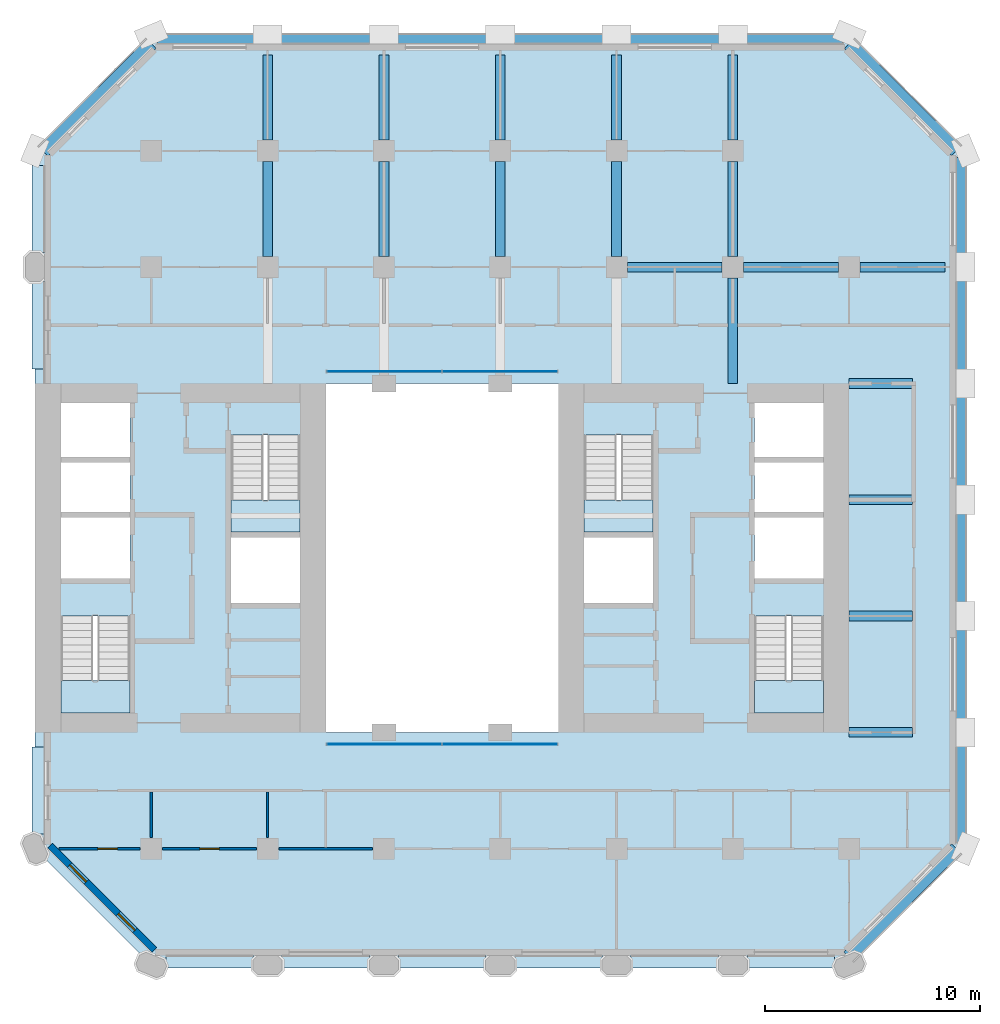
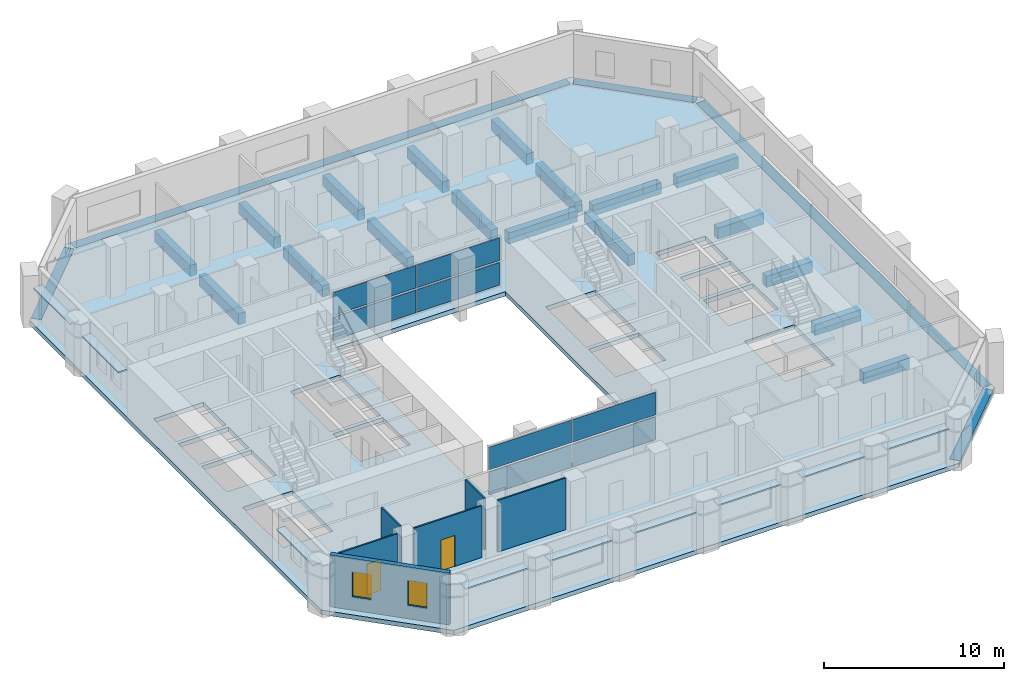
# One storey, part 3 of 11: 23 beams, 17 plates, 6 walls, 5 slabs, 2 doors, 2 windows, 4 openings, 6 elements without a shape of their own.
"""IFC4 building model written with IfcOpenShell, lengths in metres."""

from ifc_helpers import new_model, si_unit, direction, frame, frame_2d, origin, origin_2d, place, context, subcontext, project, spatial, polyline, rectangle, outline, extrude, material, layer, layer_set, material_profile, profile_set, type_object, element, fill, aggregate, save


model = new_model("IFC4")

# Units and contexts
model_context = context("Model", 3, precision=1e-05, world=origin(), true_north=direction((0.0, 1.0)))
body_context = subcontext(model_context, "Body", "Model", "MODEL_VIEW")
ifc_project = project(units=[si_unit("LENGTHUNIT", "METRE"), si_unit("AREAUNIT", "SQUARE_METRE"), si_unit("VOLUMEUNIT", "CUBIC_METRE"), si_unit("PLANEANGLEUNIT", "RADIAN"), si_unit("MASSUNIT", "GRAM", prefix="KILO")], contexts=[model_context])

# Site, building, storey
site_placement = place(None, origin())
site = spatial("IfcSite", under=ifc_project, at=site_placement, CompositionType="ELEMENT")
building_placement = place(site_placement, origin())
building = spatial("IfcBuilding", under=site, at=building_placement, Name="Tabaq Tower and Sports Hall", CompositionType="ELEMENT")
storey_placement = place(building_placement, frame((0.0, 0.0, 84.0)))
storey = spatial("IfcBuildingStorey", under=building, at=storey_placement, Name="L19", CompositionType="ELEMENT", Elevation=84.0)

# Beams
ifc_material_1 = material(Name="Concrete C40/50", Category="concrete")
ifc_material_profile_1 = material_profile(ifc_material_1, rectangle(XDim=0.449951171875, YDim=0.75, at=origin_2d()), Name="CB 450x750")
ifc_profile_set_1 = profile_set([ifc_material_profile_1], Name="Concrete C40/50")
beam_type_1 = type_object("IfcBeamType", Name="PT CANTILEVER BEAM CB 450x750 C40/50", PredefinedType="BEAM", material=ifc_profile_set_1)
for number, where, z_axis, x_axis, name in (
    (1, (46.14990234375, 16.199951171875, -0.675048828125), (-1.0, 0.0, 0.0), (0.0, -1.0, 0.0), "Cantilever Beam L19 E3 span 1"),
    (2, (46.14990234375, 21.60009765625, -0.675048828125), (-1.0, 0.0, 0.0), (0.0, -1.0, 0.0), "Cantilever Beam L19 E4 span 1"),
    (3, (46.14990234375, 27.0, -0.675048828125), (-1.0, 0.0, 0.0), (0.0, -1.0, 0.0), "Cantilever Beam L19 E5 span 1"),
    (4, (46.14990234375, 32.39990234375, -0.675048828125), (-1.0, 0.0, 0.0), (0.0, -1.0, 0.0), "Cantilever Beam L19 E6 span 1"),
):
    element("IfcBeam", number, at=place(storey_placement, frame(where, z_axis=z_axis, x_axis=x_axis)), inside=storey, type_object=beam_type_1, Name=name, PredefinedType="BEAM", context=body_context, shape_type="SweptSolid", body=[
        extrude(rectangle(XDim=0.449951171875, YDim=0.75, at=origin_2d()), origin(), (0.0, 0.0, 1.0), 2.949951171875),
    ])
beam_1_placement = place(storey_placement, frame((47.64990234375, 37.800048828125, -0.675048828125), z_axis=(-1.0, 0.0, 0.0), x_axis=(0.0, -1.0, 0.0)))
element("IfcBeam", 5, at=beam_1_placement, inside=storey, type_object=beam_type_1, Name="Cantilever Beam L19 E7 span 1", PredefinedType="BEAM", context=body_context, shape_type="SweptSolid", body=[
    extrude(rectangle(XDim=0.449951171875, YDim=0.75, at=origin_2d()), origin(), (0.0, 0.0, 1.0), 3.949951171875),
])
beam_2_placement = place(storey_placement, frame((42.699951171875, 37.800048828125, -0.675048828125), z_axis=(-1.0, 0.0, 0.0), x_axis=(0.0, -1.0, 0.0)))
element("IfcBeam", 6, at=beam_2_placement, inside=storey, type_object=beam_type_1, Name="Cantilever Beam L19 E7 span 2", PredefinedType="BEAM", context=body_context, shape_type="SweptSolid", body=[
    extrude(rectangle(XDim=0.449951171875, YDim=0.75, at=origin_2d()), origin(), (0.0, 0.0, 1.0), 4.39990234375),
])
beam_3_placement = place(storey_placement, frame((37.300048828125, 37.800048828125, -0.675048828125), z_axis=(-1.0, 0.0, 0.0), x_axis=(0.0, -1.0, 0.0)))
element("IfcBeam", 7, at=beam_3_placement, inside=storey, type_object=beam_type_1, Name="Cantilever Beam L19 E7 span 3", PredefinedType="BEAM", context=body_context, shape_type="SweptSolid", body=[
    extrude(rectangle(XDim=0.449951171875, YDim=0.75, at=origin_2d()), origin(), (0.0, 0.0, 1.0), 4.400146484375),
])
beam_4_placement = place(storey_placement, frame((16.199951171875, 47.64990234375, -0.675048828125), z_axis=(0.0, -1.0, 0.0), x_axis=(1.0, 0.0, 0.0)))
element("IfcBeam", 8, at=beam_4_placement, inside=storey, type_object=beam_type_1, Name="Cantilever Beam L19 N3 span 1", PredefinedType="BEAM", context=body_context, shape_type="SweptSolid", body=[
    extrude(rectangle(XDim=0.449951171875, YDim=0.75, at=origin_2d()), origin(), (0.0, 0.0, 1.0), 3.949951171875),
])
beam_5_placement = place(storey_placement, frame((16.199951171875, 42.699951171875, -0.675048828125), z_axis=(0.0, -1.0, 0.0), x_axis=(1.0, 0.0, 0.0)))
element("IfcBeam", 9, at=beam_5_placement, inside=storey, type_object=beam_type_1, Name="Cantilever Beam L19 N3 span 2", PredefinedType="BEAM", context=body_context, shape_type="SweptSolid", body=[
    extrude(rectangle(XDim=0.449951171875, YDim=0.75, at=origin_2d()), origin(), (0.0, 0.0, 1.0), 4.39990234375),
])
beam_6_placement = place(storey_placement, frame((21.60009765625, 47.64990234375, -0.675048828125), z_axis=(0.0, -1.0, 0.0), x_axis=(1.0, 0.0, 0.0)))
element("IfcBeam", 10, at=beam_6_placement, inside=storey, type_object=beam_type_1, Name="Cantilever Beam L19 N4 span 1", PredefinedType="BEAM", context=body_context, shape_type="SweptSolid", body=[
    extrude(rectangle(XDim=0.449951171875, YDim=0.75, at=origin_2d()), origin(), (0.0, 0.0, 1.0), 3.949951171875),
])
beam_7_placement = place(storey_placement, frame((21.60009765625, 42.699951171875, -0.675048828125), z_axis=(0.0, -1.0, 0.0), x_axis=(1.0, 0.0, 0.0)))
element("IfcBeam", 11, at=beam_7_placement, inside=storey, type_object=beam_type_1, Name="Cantilever Beam L19 N4 span 2", PredefinedType="BEAM", context=body_context, shape_type="SweptSolid", body=[
    extrude(rectangle(XDim=0.449951171875, YDim=0.75, at=origin_2d()), origin(), (0.0, 0.0, 1.0), 4.39990234375),
])
beam_8_placement = place(storey_placement, frame((27.0, 47.64990234375, -0.675048828125), z_axis=(0.0, -1.0, 0.0), x_axis=(1.0, 0.0, 0.0)))
element("IfcBeam", 12, at=beam_8_placement, inside=storey, type_object=beam_type_1, Name="Cantilever Beam L19 N5 span 1", PredefinedType="BEAM", context=body_context, shape_type="SweptSolid", body=[
    extrude(rectangle(XDim=0.449951171875, YDim=0.75, at=origin_2d()), origin(), (0.0, 0.0, 1.0), 3.949951171875),
])
beam_9_placement = place(storey_placement, frame((27.0, 42.699951171875, -0.675048828125), z_axis=(0.0, -1.0, 0.0), x_axis=(1.0, 0.0, 0.0)))
element("IfcBeam", 13, at=beam_9_placement, inside=storey, type_object=beam_type_1, Name="Cantilever Beam L19 N5 span 2", PredefinedType="BEAM", context=body_context, shape_type="SweptSolid", body=[
    extrude(rectangle(XDim=0.449951171875, YDim=0.75, at=origin_2d()), origin(), (0.0, 0.0, 1.0), 4.39990234375),
])
beam_10_placement = place(storey_placement, frame((32.39990234375, 47.64990234375, -0.675048828125), z_axis=(0.0, -1.0, 0.0), x_axis=(1.0, 0.0, 0.0)))
element("IfcBeam", 14, at=beam_10_placement, inside=storey, type_object=beam_type_1, Name="Cantilever Beam L19 N6 span 1", PredefinedType="BEAM", context=body_context, shape_type="SweptSolid", body=[
    extrude(rectangle(XDim=0.449951171875, YDim=0.75, at=origin_2d()), origin(), (0.0, 0.0, 1.0), 3.949951171875),
])
beam_11_placement = place(storey_placement, frame((32.39990234375, 42.699951171875, -0.675048828125), z_axis=(0.0, -1.0, 0.0), x_axis=(1.0, 0.0, 0.0)))
element("IfcBeam", 15, at=beam_11_placement, inside=storey, type_object=beam_type_1, Name="Cantilever Beam L19 N6 span 2", PredefinedType="BEAM", context=body_context, shape_type="SweptSolid", body=[
    extrude(rectangle(XDim=0.449951171875, YDim=0.75, at=origin_2d()), origin(), (0.0, 0.0, 1.0), 4.39990234375),
])
beam_12_placement = place(storey_placement, frame((37.800048828125, 47.64990234375, -0.675048828125), z_axis=(0.0, -1.0, 0.0), x_axis=(1.0, 0.0, 0.0)))
element("IfcBeam", 16, at=beam_12_placement, inside=storey, type_object=beam_type_1, Name="Cantilever Beam L19 N7 span 1", PredefinedType="BEAM", context=body_context, shape_type="SweptSolid", body=[
    extrude(rectangle(XDim=0.449951171875, YDim=0.75, at=origin_2d()), origin(), (0.0, 0.0, 1.0), 3.949951171875),
])
beam_13_placement = place(storey_placement, frame((37.800048828125, 42.699951171875, -0.675048828125), z_axis=(0.0, -1.0, 0.0), x_axis=(1.0, 0.0, 0.0)))
element("IfcBeam", 17, at=beam_13_placement, inside=storey, type_object=beam_type_1, Name="Cantilever Beam L19 N7 span 2", PredefinedType="BEAM", context=body_context, shape_type="SweptSolid", body=[
    extrude(rectangle(XDim=0.449951171875, YDim=0.75, at=origin_2d()), origin(), (0.0, 0.0, 1.0), 4.39990234375),
])
beam_14_placement = place(storey_placement, frame((37.800048828125, 37.300048828125, -0.675048828125), z_axis=(0.0, -1.0, 0.0), x_axis=(1.0, 0.0, 0.0)))
element("IfcBeam", 18, at=beam_14_placement, inside=storey, type_object=beam_type_1, Name="Cantilever Beam L19 N7 span 3", PredefinedType="BEAM", context=body_context, shape_type="SweptSolid", body=[
    extrude(rectangle(XDim=0.449951171875, YDim=0.75, at=origin_2d()), origin(), (0.0, 0.0, 1.0), 4.900146484375),
])
ifc_material_2 = material(Name="Concrete C40/50", Category="concrete")
ifc_material_profile_2 = material_profile(ifc_material_2, rectangle(XDim=0.60009765625, YDim=0.300048828125, at=origin_2d()), Name="EB 600x300")
ifc_profile_set_2 = profile_set([ifc_material_profile_2], Name="Concrete C40/50")
beam_type_2 = type_object("IfcBeamType", Name="PT EDGE BEAM EB 600x300 C40/50", PredefinedType="SPANDREL", material=ifc_profile_set_2)
beam_15_placement = place(storey_placement, frame((43.16455078125, 5.788818359375, -0.14990234375), z_axis=(0.707106781187, 0.707106781187, 0.0), x_axis=(-0.707106781187, 0.707106781187, 0.0)))
element("IfcBeam", 19, at=beam_15_placement, inside=storey, type_object=beam_type_2, Name="Edge Beam L19 1", PredefinedType="SPANDREL", context=body_context, shape_type="SweptSolid", body=[
    extrude(rectangle(XDim=0.60009765625, YDim=0.300048828125, at=origin_2d()), origin(), (0.0, 0.0, 1.0), 7.08837890625),
])
beam_16_placement = place(storey_placement, frame((48.300048828125, 11.0986328125, -0.14990234375), z_axis=(0.0, 1.0, 0.0), x_axis=(-1.0, 0.0, 0.0)))
element("IfcBeam", 20, at=beam_16_placement, inside=storey, type_object=beam_type_2, Name="Edge Beam L19 2", PredefinedType="SPANDREL", context=body_context, shape_type="SweptSolid", body=[
    extrude(rectangle(XDim=0.60009765625, YDim=0.300048828125, at=origin_2d()), origin(), (0.0, 0.0, 1.0), 31.802734375),
])
beam_17_placement = place(storey_placement, frame((48.1767578125, 43.198974609375, -0.14990234375), z_axis=(-0.707106781187, 0.707106781187, 0.0), x_axis=(-0.707106781187, -0.707106781187, 0.0)))
element("IfcBeam", 21, at=beam_17_placement, inside=storey, type_object=beam_type_2, Name="Edge Beam L19 3", PredefinedType="SPANDREL", context=body_context, shape_type="SweptSolid", body=[
    extrude(rectangle(XDim=0.60009765625, YDim=0.300048828125, at=origin_2d()), origin(), (0.0, 0.0, 1.0), 7.03955078125),
])
beam_18_placement = place(storey_placement, frame((42.9013671875, 48.300048828125, -0.14990234375), z_axis=(-1.0, 0.0, 0.0), x_axis=(0.0, -1.0, 0.0)))
element("IfcBeam", 22, at=beam_18_placement, inside=storey, type_object=beam_type_2, Name="Edge Beam L19 4", PredefinedType="SPANDREL", context=body_context, shape_type="SweptSolid", body=[
    extrude(rectangle(XDim=0.60009765625, YDim=0.300048828125, at=origin_2d()), origin(), (0.0, 0.0, 1.0), 31.802734375),
])
beam_19_placement = place(storey_placement, frame((10.801025390625, 48.1767578125, -0.14990234375), z_axis=(-0.707106781187, -0.707106781187, 0.0), x_axis=(0.707106781187, -0.707106781187, 0.0)))
element("IfcBeam", 23, at=beam_19_placement, inside=storey, type_object=beam_type_2, Name="Edge Beam L19 5", PredefinedType="SPANDREL", context=body_context, shape_type="SweptSolid", body=[
    extrude(rectangle(XDim=0.60009765625, YDim=0.300048828125, at=origin_2d()), origin(), (0.0, 0.0, 1.0), 7.08837890625),
])

# Curtain wall, plates
ifc_material_3 = material(Name="Aluminium alloy 6063-T6 framed glazing", Category="aluminium")
curtain_wall_type = type_object("IfcCurtainWallType", Name="CW1 curtain wall", PredefinedType="USERDEFINED", material=ifc_material_3)
curtain_wall_1_placement = place(storey_placement, origin())
curtain_wall_1 = element("IfcCurtainWall", 24, at=curtain_wall_1_placement, inside=storey, type_object=curtain_wall_type, Name="Atrium glazing L19 S", ObjectType="ATRIUM ENCLOSURE", PredefinedType="USERDEFINED")
ifc_material_4 = material(Name="Clear low-emissivity glass 28 mm", Category="glass")
ifc_layer_1 = layer(ifc_material_4, 0.028076171875)
ifc_layer_set_1 = layer_set([ifc_layer_1], Name="CW1 glass panel 28")
plate_type_1 = type_object("IfcPlateType", Name="CW1 glass panel 28", PredefinedType="CURTAIN_PANEL", material=ifc_layer_set_1)
plate_1_placement = place(storey_placement, frame((21.614990234375, 15.64990234375, 0.139892578125), z_axis=(0.0, 0.0, 1.0), x_axis=(1.0, 0.0, 0.0)))
plate_1 = element("IfcPlate", 25, at=plate_1_placement, type_object=plate_type_1, Name="CW1 panel 1.1", PredefinedType="CURTAIN_PANEL", context=body_context, shape_type="SweptSolid", body=[
    extrude(rectangle(XDim=5.31005859375, YDim=0.028076171875, at=origin_2d()), origin(), (0.0, 0.0, 1.0), 1.5400390625),
])
plate_2_placement = place(storey_placement, frame((21.614990234375, 15.64990234375, 1.820068359375), z_axis=(0.0, 0.0, 1.0), x_axis=(1.0, 0.0, 0.0)))
plate_2 = element("IfcPlate", 26, at=plate_2_placement, type_object=plate_type_1, Name="CW1 panel 1.2", PredefinedType="CURTAIN_PANEL", context=body_context, shape_type="SweptSolid", body=[
    extrude(rectangle(XDim=5.31005859375, YDim=0.028076171875, at=origin_2d()), origin(), (0.0, 0.0, 1.0), 1.5400390625),
])
plate_3_placement = place(storey_placement, frame((26.985107421875, 15.64990234375, 0.139892578125), z_axis=(0.0, 0.0, 1.0), x_axis=(1.0, 0.0, 0.0)))
plate_3 = element("IfcPlate", 27, at=plate_3_placement, type_object=plate_type_1, Name="CW1 panel 2.1", PredefinedType="CURTAIN_PANEL", context=body_context, shape_type="SweptSolid", body=[
    extrude(rectangle(XDim=5.31005859375, YDim=0.028076171875, at=origin_2d()), origin(), (0.0, 0.0, 1.0), 1.5400390625),
])
plate_4_placement = place(storey_placement, frame((26.985107421875, 15.64990234375, 1.820068359375), z_axis=(0.0, 0.0, 1.0), x_axis=(1.0, 0.0, 0.0)))
plate_4 = element("IfcPlate", 28, at=plate_4_placement, type_object=plate_type_1, Name="CW1 panel 2.2", PredefinedType="CURTAIN_PANEL", context=body_context, shape_type="SweptSolid", body=[
    extrude(rectangle(XDim=5.31005859375, YDim=0.028076171875, at=origin_2d()), origin(), (0.0, 0.0, 1.0), 1.5400390625),
])
aggregate(curtain_wall_1, [plate_1, plate_2, plate_3, plate_4])

curtain_wall_2_placement = place(storey_placement, origin())
curtain_wall_2 = element("IfcCurtainWall", 29, at=curtain_wall_2_placement, inside=storey, type_object=curtain_wall_type, Name="Atrium glazing L19 N", ObjectType="ATRIUM ENCLOSURE", PredefinedType="USERDEFINED")
plate_5_placement = place(storey_placement, frame((21.614990234375, 32.949951171875, 0.139892578125), z_axis=(0.0, 0.0, 1.0), x_axis=(1.0, 0.0, 0.0)))
plate_5 = element("IfcPlate", 30, at=plate_5_placement, type_object=plate_type_1, Name="CW1 panel 1.1", PredefinedType="CURTAIN_PANEL", context=body_context, shape_type="SweptSolid", body=[
    extrude(rectangle(XDim=5.31005859375, YDim=0.028076171875, at=origin_2d()), origin(), (0.0, 0.0, 1.0), 1.5400390625),
])
plate_6_placement = place(storey_placement, frame((21.614990234375, 32.949951171875, 1.820068359375), z_axis=(0.0, 0.0, 1.0), x_axis=(1.0, 0.0, 0.0)))
plate_6 = element("IfcPlate", 31, at=plate_6_placement, type_object=plate_type_1, Name="CW1 panel 1.2", PredefinedType="CURTAIN_PANEL", context=body_context, shape_type="SweptSolid", body=[
    extrude(rectangle(XDim=5.31005859375, YDim=0.028076171875, at=origin_2d()), origin(), (0.0, 0.0, 1.0), 1.5400390625),
])
plate_7_placement = place(storey_placement, frame((26.985107421875, 32.949951171875, 0.139892578125), z_axis=(0.0, 0.0, 1.0), x_axis=(1.0, 0.0, 0.0)))
plate_7 = element("IfcPlate", 32, at=plate_7_placement, type_object=plate_type_1, Name="CW1 panel 2.1", PredefinedType="CURTAIN_PANEL", context=body_context, shape_type="SweptSolid", body=[
    extrude(rectangle(XDim=5.31005859375, YDim=0.028076171875, at=origin_2d()), origin(), (0.0, 0.0, 1.0), 1.5400390625),
])
plate_8_placement = place(storey_placement, frame((26.985107421875, 32.949951171875, 1.820068359375), z_axis=(0.0, 0.0, 1.0), x_axis=(1.0, 0.0, 0.0)))
plate_8 = element("IfcPlate", 33, at=plate_8_placement, type_object=plate_type_1, Name="CW1 panel 2.2", PredefinedType="CURTAIN_PANEL", context=body_context, shape_type="SweptSolid", body=[
    extrude(rectangle(XDim=5.31005859375, YDim=0.028076171875, at=origin_2d()), origin(), (0.0, 0.0, 1.0), 1.5400390625),
])
aggregate(curtain_wall_2, [plate_5, plate_6, plate_7, plate_8])

# Stair, slab
ifc_material_5 = material(Name="Concrete C40/50", Category="concrete")
stair_type = type_object("IfcStairType", Name="Exit stair", PredefinedType="HALF_TURN_STAIR", material=ifc_material_5)
stair_1_placement = place(storey_placement, origin())
stair_1 = element("IfcStair", 34, at=stair_1_placement, inside=storey, type_object=stair_type, Name="L19 Exit stair ST1", PredefinedType="HALF_TURN_STAIR")
ifc_material_6 = material(Name="Concrete C40/50", Category="concrete")
ifc_layer_2 = layer(ifc_material_6, 0.199951171875)
ifc_layer_set_2 = layer_set([ifc_layer_2], Name="Exit stair landing")
slab_type_1 = type_object("IfcSlabType", Name="Exit stair landing", PredefinedType="LANDING", material=ifc_layer_set_2)
slab_1_placement = place(storey_placement, frame((0.0, 0.0, 1.699951171875)))
slab_1 = element("IfcSlab", 35, at=slab_1_placement, type_object=slab_type_1, Name="ST1 landing 1", PredefinedType="LANDING", context=body_context, shape_type="SweptSolid", body=[
    extrude(outline(polyline([(6.60009765625, 18.60009765625), (6.60009765625, 17.10009765625), (9.800048828125, 17.10009765625), (9.800048828125, 18.60009765625), (6.60009765625, 18.60009765625)])), origin(), (0.0, 0.0, 1.0), 0.199951171875),
])
aggregate(stair_1, [slab_1])

stair_2_placement = place(storey_placement, origin())
stair_2 = element("IfcStair", 36, at=stair_2_placement, inside=storey, type_object=stair_type, Name="L19 Exit stair ST2", PredefinedType="HALF_TURN_STAIR")
slab_2_placement = place(storey_placement, frame((0.0, 0.0, 1.699951171875)))
slab_2 = element("IfcSlab", 37, at=slab_2_placement, type_object=slab_type_1, Name="ST2 landing 1", PredefinedType="LANDING", context=body_context, shape_type="SweptSolid", body=[
    extrude(outline(polyline([(14.5, 27.0), (14.5, 25.5), (17.699951171875, 25.5), (17.699951171875, 27.0), (14.5, 27.0)])), origin(), (0.0, 0.0, 1.0), 0.199951171875),
])
aggregate(stair_2, [slab_2])

stair_3_placement = place(storey_placement, origin())
stair_3 = element("IfcStair", 38, at=stair_3_placement, inside=storey, type_object=stair_type, Name="L19 Exit stair ST3", PredefinedType="HALF_TURN_STAIR")
slab_3_placement = place(storey_placement, frame((0.0, 0.0, 1.699951171875)))
slab_3 = element("IfcSlab", 39, at=slab_3_placement, type_object=slab_type_1, Name="ST3 landing 1", PredefinedType="LANDING", context=body_context, shape_type="SweptSolid", body=[
    extrude(outline(polyline([(38.800048828125, 18.60009765625), (38.800048828125, 17.10009765625), (42.0, 17.10009765625), (42.0, 18.60009765625), (38.800048828125, 18.60009765625)])), origin(), (0.0, 0.0, 1.0), 0.199951171875),
])
aggregate(stair_3, [slab_3])

stair_4_placement = place(storey_placement, origin())
stair_4 = element("IfcStair", 40, at=stair_4_placement, inside=storey, type_object=stair_type, Name="L19 Exit stair ST4", PredefinedType="HALF_TURN_STAIR")
slab_4_placement = place(storey_placement, frame((0.0, 0.0, 1.699951171875)))
slab_4 = element("IfcSlab", 41, at=slab_4_placement, type_object=slab_type_1, Name="ST4 landing 1", PredefinedType="LANDING", context=body_context, shape_type="SweptSolid", body=[
    extrude(outline(polyline([(30.89990234375, 27.0), (30.89990234375, 25.5), (34.10009765625, 25.5), (34.10009765625, 27.0), (30.89990234375, 27.0)])), origin(), (0.0, 0.0, 1.0), 0.199951171875),
])
aggregate(stair_4, [slab_4])

# Slab
ifc_material_7 = material(Name="Concrete C40/50", Category="concrete")
ifc_layer_3 = layer(ifc_material_7, 0.300048828125)
ifc_layer_set_3 = layer_set([ifc_layer_3], Name="PT FLOOR SLAB 300 C40/50")
slab_type_2 = type_object("IfcSlabType", Name="PT FLOOR SLAB 300 C40/50", PredefinedType="FLOOR", material=ifc_layer_set_3)
slab_5_placement = place(storey_placement, frame((0.0, 0.0, -0.300048828125)))
element("IfcSlab", 42, at=slab_5_placement, inside=storey, type_object=slab_type_2, Name="Floor Slab L19", PredefinedType="FLOOR", context=body_context, shape_type="SweptSolid", body=[
    extrude(outline(polyline([(5.39990234375, 43.199951171875), (5.39990234375, 10.800048828125), (10.800048828125, 5.39990234375), (43.199951171875, 5.39990234375), (43.376708984375, 5.57666015625), (42.952392578125, 6.0009765625), (47.964599609375, 11.01318359375), (48.035400390625, 10.9423828125), (48.388916015625, 10.5888671875), (48.60009765625, 10.800048828125), (48.60009765625, 11.0986328125), (48.10009765625, 11.0986328125), (48.0, 11.0986328125), (48.0, 42.9013671875), (48.10009765625, 42.9013671875), (48.60009765625, 42.9013671875), (48.60009765625, 43.199951171875), (48.388916015625, 43.4111328125), (48.035400390625, 43.0576171875), (47.964599609375, 42.98681640625), (42.98681640625, 47.964599609375), (43.0576171875, 48.035400390625), (43.4111328125, 48.388916015625), (43.199951171875, 48.60009765625), (42.9013671875, 48.60009765625), (42.9013671875, 48.10009765625), (42.9013671875, 48.0), (11.0986328125, 48.0), (11.0986328125, 48.10009765625), (11.0986328125, 48.60009765625), (10.800048828125, 48.60009765625), (10.5888671875, 48.388916015625), (10.9423828125, 48.035400390625), (11.01318359375, 47.964599609375), (6.0009765625, 42.952392578125), (5.57666015625, 43.376708984375), (5.39990234375, 43.199951171875)]), holes=[polyline([(6.60009765625, 21.599365234375), (9.800048828125, 21.599365234375), (9.800048828125, 17.10009765625), (6.60009765625, 17.10009765625), (6.60009765625, 21.599365234375)]), polyline([(17.699951171875, 25.25), (17.699951171875, 22.199951171875), (14.5, 22.199951171875), (14.5, 25.25), (17.699951171875, 25.25)]), polyline([(18.89990234375, 32.39990234375), (29.699951171875, 32.39990234375), (29.699951171875, 16.199951171875), (18.89990234375, 16.199951171875), (18.89990234375, 32.39990234375)]), polyline([(6.60009765625, 26.175048828125), (9.800048828125, 26.175048828125), (9.800048828125, 23.35009765625), (6.60009765625, 23.35009765625), (6.60009765625, 26.175048828125)]), polyline([(9.800048828125, 28.72509765625), (9.800048828125, 26.425048828125), (6.60009765625, 26.425048828125), (6.60009765625, 28.72509765625), (9.800048828125, 28.72509765625)]), polyline([(17.699951171875, 29.99951171875), (17.699951171875, 25.5), (14.5, 25.5), (14.5, 29.99951171875), (17.699951171875, 29.99951171875)]), polyline([(6.60009765625, 31.5), (9.800048828125, 31.5), (9.800048828125, 28.97509765625), (6.60009765625, 28.97509765625), (6.60009765625, 31.5)]), polyline([(42.0, 21.599365234375), (42.0, 17.10009765625), (38.800048828125, 17.10009765625), (38.800048828125, 21.599365234375), (42.0, 21.599365234375)]), polyline([(34.10009765625, 25.25), (34.10009765625, 22.199951171875), (30.89990234375, 22.199951171875), (30.89990234375, 25.25), (34.10009765625, 25.25)]), polyline([(42.0, 26.175048828125), (42.0, 23.35009765625), (38.800048828125, 23.35009765625), (38.800048828125, 26.175048828125), (42.0, 26.175048828125)]), polyline([(42.0, 28.72509765625), (42.0, 26.425048828125), (38.800048828125, 26.425048828125), (38.800048828125, 28.72509765625), (42.0, 28.72509765625)]), polyline([(34.10009765625, 29.99951171875), (34.10009765625, 25.5), (30.89990234375, 25.5), (30.89990234375, 29.99951171875), (34.10009765625, 29.99951171875)]), polyline([(42.0, 31.5), (42.0, 28.97509765625), (38.800048828125, 28.97509765625), (38.800048828125, 31.5), (42.0, 31.5)])]), origin(), (0.0, 0.0, 1.0), 0.300048828125),
])

# Plates
ifc_material_8 = material(Name="White precast concrete C60/75 blade", Category="concrete")
ifc_layer_4 = layer(ifc_material_8, 0.10009765625)
ifc_layer_set_4 = layer_set([ifc_layer_4], Name="White precast concrete C60/75 sunshade 100")
plate_type_2 = type_object("IfcPlateType", Name="White precast concrete C60/75 sunshade 100", PredefinedType="USERDEFINED", material=ifc_layer_set_4)
for number, where, z_axis, x_axis, name in (
    (43, (13.5, 5.550048828125, 2.599853515625), (0.0, 0.0, 1.0), (1.0, 0.0, 0.0), "Sunshade L19 S"),
    (44, (18.89990234375, 5.550048828125, 2.599853515625), (0.0, 0.0, 1.0), (1.0, 0.0, 0.0), "Sunshade L19 S"),
    (45, (24.300048828125, 5.550048828125, 2.599853515625), (0.0, 0.0, 1.0), (1.0, 0.0, 0.0), "Sunshade L19 S"),
    (46, (29.699951171875, 5.550048828125, 2.599853515625), (0.0, 0.0, 1.0), (1.0, 0.0, 0.0), "Sunshade L19 S"),
    (47, (35.10009765625, 5.550048828125, 2.599853515625), (0.0, 0.0, 1.0), (1.0, 0.0, 0.0), "Sunshade L19 S"),
    (48, (40.5, 5.550048828125, 2.599853515625), (0.0, 0.0, 1.0), (1.0, 0.0, 0.0), "Sunshade L19 S"),
    (49, (5.550048828125, 40.5, 2.599853515625), (0.0, 0.0, 1.0), (0.0, -1.0, 0.0), "Sunshade L19 W"),
    (50, (5.550048828125, 35.10009765625, 2.599853515625), (0.0, 0.0, 1.0), (0.0, -1.0, 0.0), "Sunshade L19 W"),
    (51, (5.550048828125, 13.5, 2.599853515625), (0.0, 0.0, 1.0), (0.0, -1.0, 0.0), "Sunshade L19 W"),
):
    element("IfcPlate", number, at=place(storey_placement, frame(where, z_axis=z_axis, x_axis=x_axis)), inside=storey, type_object=plate_type_2, Name=name, ObjectType="SUNSHADE", PredefinedType="USERDEFINED", context=body_context, shape_type="SweptSolid", body=[
        extrude(rectangle(XDim=4.050048828125, YDim=0.60009765625, at=origin_2d()), origin(), (0.0, 0.0, 1.0), 0.10009765625),
    ])

# Wall, opening, door
ifc_material_9 = material(Name="Gypsum board on steel studs", Category="steel")
ifc_layer_5 = layer(ifc_material_9, 0.10009765625)
ifc_layer_set_5 = layer_set([ifc_layer_5], Name="Partition 100 Gypsum board")
wall_type_1 = type_object("IfcWallType", Name="Partition 100 Gypsum board", PredefinedType="PARTITIONING", material=ifc_layer_set_5)
wall_1_placement = place(storey_placement, frame((6.51220703125, 10.800048828125, 0.0), z_axis=(0.0, 0.0, 1.0), x_axis=(1.0, 0.0, 0.0)))
wall_1 = element("IfcWall", 52, at=wall_1_placement, inside=storey, type_object=wall_type_1, Name="Partition wall L19", PredefinedType="PARTITIONING", context=body_context, shape_type="SweptSolid", body=[
    extrude(rectangle(XDim=3.767822265625, YDim=0.10009765625, at=frame_2d((1.8837890625, 0.0))), origin(), (0.0, 0.0, 1.0), 3.5),
])
opening_1_placement = place(wall_1_placement, frame((1.81298828125, 0.0, 0.0)))
opening_1 = element("IfcOpeningElement", 53, at=opening_1_placement, cuts=wall_1, Name="Opening L19-032", PredefinedType="OPENING", context=body_context, shape_type="SweptSolid", body=[
    extrude(rectangle(XDim=0.89990234375, YDim=2.10009765625, at=frame_2d((0.449951171875, 1.050048828125))), frame((0.0, 0.050048828125, 0.0), z_axis=(0.0, -1.0, 0.0), x_axis=(1.0, 0.0, 0.0)), (0.0, 0.0, 1.0), 0.10009765625),
])
ifc_material_10 = material(Name="Timber leaf in steel frame", Category="steel")
door_type_1 = type_object("IfcDoorType", Name="Internal door 900 left hand", OperationType="SINGLE_SWING_LEFT", PredefinedType="DOOR", material=ifc_material_10)
door_1_placement = place(opening_1_placement, origin())
door_1 = element("IfcDoor", 54, at=door_1_placement, inside=storey, type_object=door_type_1, Name="Internal door L19-032", OperationType="SINGLE_SWING_LEFT", OverallHeight=2.10009765625, OverallWidth=0.89990234375, PredefinedType="DOOR", context=body_context, shape_type="SweptSolid", body=[
    extrude(rectangle(XDim=0.89990234375, YDim=2.10009765625, at=frame_2d((0.449951171875, 1.050048828125))), frame((0.0, 0.02490234375, 0.0), z_axis=(0.0, -1.0, 0.0), x_axis=(1.0, 0.0, 0.0)), (0.0, 0.0, 1.0), 0.050048828125),
])
fill(opening_1, door_1)

# Wall
wall_2_placement = place(storey_placement, frame((10.800048828125, 11.320068359375, 0.0), z_axis=(0.0, 0.0, 1.0), x_axis=(0.0, 1.0, 0.0)))
element("IfcWall", 55, at=wall_2_placement, inside=storey, type_object=wall_type_1, Name="Partition wall L19", PredefinedType="PARTITIONING", context=body_context, shape_type="SweptSolid", body=[
    extrude(rectangle(XDim=2.10498046875, YDim=0.10009765625, at=frame_2d((1.052490234375, 0.0))), origin(), (0.0, 0.0, 1.0), 3.5),
])

# Wall, opening, door
wall_3_placement = place(storey_placement, frame((11.320068359375, 10.800048828125, 0.0), z_axis=(0.0, 0.0, 1.0), x_axis=(1.0, 0.0, 0.0)))
wall_3 = element("IfcWall", 56, at=wall_3_placement, inside=storey, type_object=wall_type_1, Name="Partition wall L19", PredefinedType="PARTITIONING", context=body_context, shape_type="SweptSolid", body=[
    extrude(rectangle(XDim=4.35986328125, YDim=0.10009765625, at=frame_2d((2.179931640625, 0.0))), origin(), (0.0, 0.0, 1.0), 3.5),
])
opening_2_placement = place(wall_3_placement, frame((1.72998046875, 0.0, 0.0)))
opening_2 = element("IfcOpeningElement", 57, at=opening_2_placement, cuts=wall_3, Name="Opening L19-020", PredefinedType="OPENING", context=body_context, shape_type="SweptSolid", body=[
    extrude(rectangle(XDim=0.89990234375, YDim=2.10009765625, at=frame_2d((0.449951171875, 1.050048828125))), frame((0.0, 0.050048828125, 0.0), z_axis=(0.0, -1.0, 0.0), x_axis=(1.0, 0.0, 0.0)), (0.0, 0.0, 1.0), 0.10009765625),
])
ifc_material_11 = material(Name="Timber leaf in steel frame", Category="steel")
door_type_2 = type_object("IfcDoorType", Name="Internal door 900 right hand", OperationType="SINGLE_SWING_RIGHT", PredefinedType="DOOR", material=ifc_material_11)
door_2_placement = place(opening_2_placement, origin())
door_2 = element("IfcDoor", 58, at=door_2_placement, inside=storey, type_object=door_type_2, Name="Internal door L19-020", OperationType="SINGLE_SWING_RIGHT", OverallHeight=2.10009765625, OverallWidth=0.89990234375, PredefinedType="DOOR", context=body_context, shape_type="SweptSolid", body=[
    extrude(rectangle(XDim=0.89990234375, YDim=2.10009765625, at=frame_2d((0.449951171875, 1.050048828125))), frame((0.0, 0.02490234375, 0.0), z_axis=(0.0, -1.0, 0.0), x_axis=(1.0, 0.0, 0.0)), (0.0, 0.0, 1.0), 0.050048828125),
])
fill(opening_2, door_2)

# Walls
wall_4_placement = place(storey_placement, frame((16.199951171875, 11.320068359375, 0.0), z_axis=(0.0, 0.0, 1.0), x_axis=(0.0, 1.0, 0.0)))
element("IfcWall", 59, at=wall_4_placement, inside=storey, type_object=wall_type_1, Name="Partition wall L19", PredefinedType="PARTITIONING", context=body_context, shape_type="SweptSolid", body=[
    extrude(rectangle(XDim=2.10498046875, YDim=0.10009765625, at=frame_2d((1.052490234375, 0.0))), origin(), (0.0, 0.0, 1.0), 3.5),
])
wall_5_placement = place(storey_placement, frame((16.719970703125, 10.800048828125, 0.0), z_axis=(0.0, 0.0, 1.0), x_axis=(1.0, 0.0, 0.0)))
element("IfcWall", 60, at=wall_5_placement, inside=storey, type_object=wall_type_1, Name="Partition wall L19", PredefinedType="PARTITIONING", context=body_context, shape_type="SweptSolid", body=[
    extrude(rectangle(XDim=4.360107421875, YDim=0.10009765625, at=frame_2d((2.18017578125, 0.0))), origin(), (0.0, 0.0, 1.0), 3.5),
])

# Wall, openings, windows
ifc_material_12 = material(Name="White precast concrete C60/75", Category="concrete")
ifc_layer_6 = layer(ifc_material_12, 0.300048828125)
ifc_layer_set_6 = layer_set([ifc_layer_6], Name="White precast concrete C60/75 external wall 300")
wall_type_2 = type_object("IfcWallType", Name="White precast concrete C60/75 external wall 300", PredefinedType="SOLIDWALL", material=ifc_layer_set_6)
wall_6_placement = place(storey_placement, frame((6.098876953125, 10.949462890625, 0.0), z_axis=(0.0, 0.0, 1.0), x_axis=(0.707106781187, -0.707106781187, 0.0)))
wall_6 = element("IfcWall", 61, at=wall_6_placement, inside=storey, type_object=wall_type_2, Name="External Wall L19 SW", PredefinedType="SOLIDWALL", context=body_context, shape_type="SweptSolid", body=[
    extrude(rectangle(XDim=6.85986328125, YDim=0.300048828125, at=frame_2d((3.429931640625, 0.0))), origin(), (0.0, 0.0, 1.0), 3.5),
])
opening_3_placement = place(wall_6_placement, frame((1.27978515625, 0.0, 0.89990234375)))
opening_3 = element("IfcOpeningElement", 62, at=opening_3_placement, cuts=wall_6, Name="Opening W1B", PredefinedType="OPENING", context=body_context, shape_type="SweptSolid", body=[
    extrude(rectangle(XDim=1.10009765625, YDim=1.699951171875, at=frame_2d((0.550048828125, 0.85009765625))), frame((0.0, 0.16015625, 0.0), z_axis=(0.0, -1.0, 0.0), x_axis=(1.0, 0.0, 0.0)), (0.0, 0.0, 1.0), 0.320068359375),
])
opening_4_placement = place(wall_6_placement, frame((4.479736328125, 0.0, 0.89990234375)))
opening_4 = element("IfcOpeningElement", 63, at=opening_4_placement, cuts=wall_6, Name="Opening W1B", PredefinedType="OPENING", context=body_context, shape_type="SweptSolid", body=[
    extrude(rectangle(XDim=1.10009765625, YDim=1.699951171875, at=frame_2d((0.550048828125, 0.85009765625))), frame((0.0, 0.16015625, 0.0), z_axis=(0.0, -1.0, 0.0), x_axis=(1.0, 0.0, 0.0)), (0.0, 0.0, 1.0), 0.320068359375),
])
ifc_material_13 = material(Name="Aluminium framed clear glazing", Category="aluminium")
window_type = type_object("IfcWindowType", Name="Window W1B", PartitioningType="SINGLE_PANEL", PredefinedType="WINDOW", material=ifc_material_13)
window_1_placement = place(opening_3_placement, origin())
window_1 = element("IfcWindow", 64, at=window_1_placement, inside=storey, type_object=window_type, Name="Window W1B L19", OverallHeight=1.699951171875, OverallWidth=1.10009765625, PartitioningType="SINGLE_PANEL", PredefinedType="WINDOW", context=body_context, shape_type="SweptSolid", body=[
    extrude(rectangle(XDim=1.10009765625, YDim=1.699951171875, at=frame_2d((0.550048828125, 0.85009765625))), frame((0.0, 0.030029296875, 0.0), z_axis=(0.0, -1.0, 0.0), x_axis=(1.0, 0.0, 0.0)), (0.0, 0.0, 1.0), 0.06005859375),
])
fill(opening_3, window_1)
window_2_placement = place(opening_4_placement, origin())
window_2 = element("IfcWindow", 65, at=window_2_placement, inside=storey, type_object=window_type, Name="Window W1B L19", OverallHeight=1.699951171875, OverallWidth=1.10009765625, PartitioningType="SINGLE_PANEL", PredefinedType="WINDOW", context=body_context, shape_type="SweptSolid", body=[
    extrude(rectangle(XDim=1.10009765625, YDim=1.699951171875, at=frame_2d((0.550048828125, 0.85009765625))), frame((0.0, 0.030029296875, 0.0), z_axis=(0.0, -1.0, 0.0), x_axis=(1.0, 0.0, 0.0)), (0.0, 0.0, 1.0), 0.06005859375),
])
fill(opening_4, window_2)

save(model, "model.ifc")
